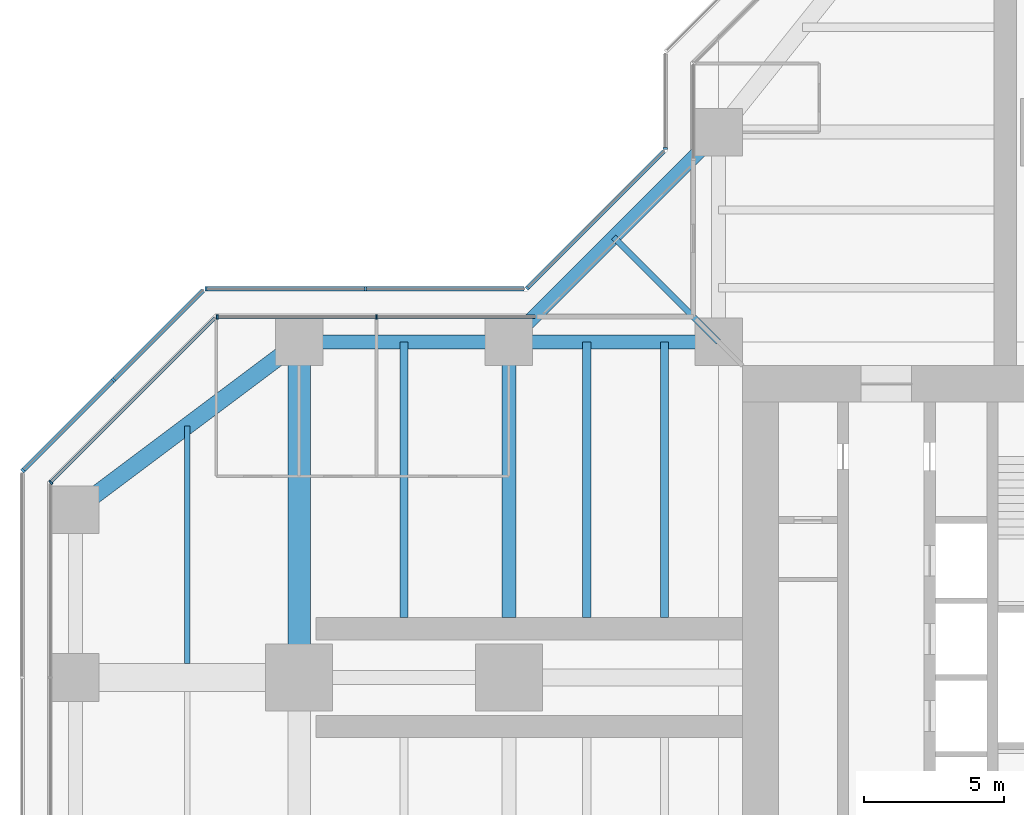
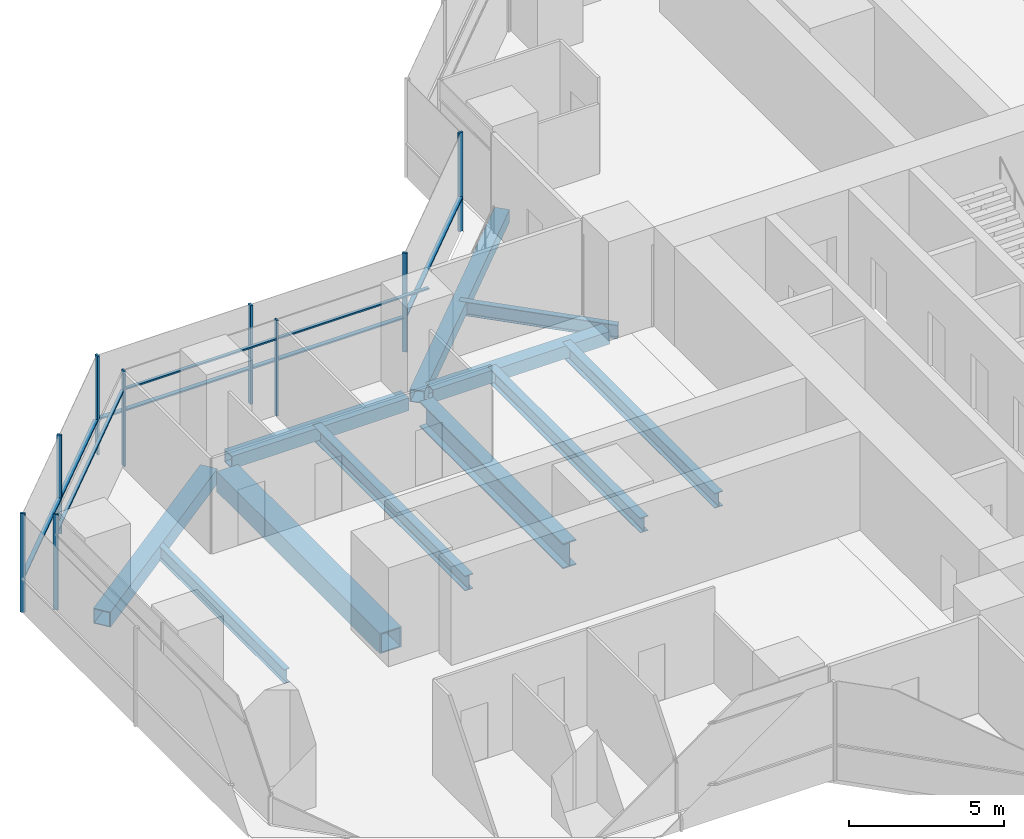
# One storey, part 7 of 20: 17 members, 11 beams, 6 elements without a shape of their own.
"""IFC4 building model written with IfcOpenShell, lengths in metres."""

from ifc_helpers import new_model, si_unit, direction, frame, origin, origin_2d, place, context, subcontext, project, spatial, rectangle, hollow_rectangle, i_section, extrude, material, material_profile, profile_set, type_object, element, aggregate, save


model = new_model("IFC4")

# Units and contexts
model_context = context("Model", 3, precision=1e-05, world=origin(), true_north=direction((0.0, 1.0)))
body_context = subcontext(model_context, "Body", "Model", "MODEL_VIEW")
ifc_project = project(units=[si_unit("LENGTHUNIT", "METRE"), si_unit("AREAUNIT", "SQUARE_METRE"), si_unit("VOLUMEUNIT", "CUBIC_METRE"), si_unit("PLANEANGLEUNIT", "RADIAN"), si_unit("MASSUNIT", "GRAM", prefix="KILO")], contexts=[model_context])

# Site, building, storey
site_placement = place(None, origin())
site = spatial("IfcSite", under=ifc_project, at=site_placement, CompositionType="ELEMENT")
building_placement = place(site_placement, origin())
building = spatial("IfcBuilding", under=site, at=building_placement, Name="Mizan Broadcast Tower", CompositionType="ELEMENT")
storey_placement = place(building_placement, frame((0.0, 0.0, 178.800048828125)))
storey = spatial("IfcBuildingStorey", under=building, at=storey_placement, Name="L41", CompositionType="ELEMENT", Elevation=178.800048828125)

# Beams
ifc_material_1 = material(Name="Steel S355", Category="steel")
ifc_material_profile_1 = material_profile(ifc_material_1, hollow_rectangle(XDim=0.5, YDim=0.5, WallThickness=0.030029296875, at=origin_2d()), Name="BOX 500x500x30")
ifc_profile_set_1 = profile_set([ifc_material_profile_1], Name="Steel S355")
beam_type_1 = type_object("IfcBeamType", Name="EDGE BEAM BOX 500x500x30", PredefinedType="SPANDREL", material=ifc_profile_set_1)
for number, where, z_axis, x_axis, name in (
    (1, (-12.449951171875, 12.0, -0.380126953125), (-1.0, 0.0, 0.0), (0.0, -1.0, 0.0), "Edge beam BOX 500x500x30 L41 west arm"),
    (2, (-19.949951171875, 12.0, -0.380126953125), (-1.0, 0.0, 0.0), (0.0, -1.0, 0.0), "Edge beam BOX 500x500x30 L41 west arm"),
):
    element("IfcBeam", number, at=place(storey_placement, frame(where, z_axis=z_axis, x_axis=x_axis)), inside=storey, type_object=beam_type_1, Name=name, PredefinedType="SPANDREL", context=body_context, shape_type="SweptSolid", body=[
        extrude(hollow_rectangle(XDim=0.5, YDim=0.5, WallThickness=0.030029296875, at=origin_2d()), origin(), (0.0, 0.0, 1.0), 6.60009765625),
    ])
beam_1_placement = place(storey_placement, frame((-12.0, 19.5, -0.380126953125), z_axis=(-0.707106781187, -0.707106781187, 0.0), x_axis=(0.707106781187, -0.707106781187, 0.0)))
element("IfcBeam", 3, at=beam_1_placement, inside=storey, type_object=beam_type_1, Name="Winter garden edge beam L41 N", PredefinedType="SPANDREL", context=body_context, shape_type="SweptSolid", body=[
    extrude(hollow_rectangle(XDim=0.5, YDim=0.5, WallThickness=0.030029296875, at=origin_2d()), origin(), (0.0, 0.0, 1.0), 10.606689453125),
])
ifc_material_2 = material(Name="Steel S355", Category="steel")
ifc_material_profile_2 = material_profile(ifc_material_2, hollow_rectangle(XDim=0.60009765625, YDim=0.60009765625, WallThickness=0.030029296875, at=origin_2d()), Name="BOX 600x600x30")
ifc_profile_set_2 = profile_set([ifc_material_profile_2], Name="Steel S355")
beam_type_2 = type_object("IfcBeamType", Name="EDGE BEAM BOX 600x600x30", PredefinedType="SPANDREL", material=ifc_profile_set_2)
beam_2_placement = place(storey_placement, frame((-27.47998046875, 11.639892578125, -0.429931640625), z_axis=(-0.800013316712, -0.599982243973, 0.0), x_axis=(0.599982243973, -0.800013316712, 0.0)))
element("IfcBeam", 4, at=beam_2_placement, inside=storey, type_object=beam_type_2, Name="Edge beam BOX 600x600x30 L41 west arm", PredefinedType="SPANDREL", context=body_context, shape_type="SweptSolid", body=[
    extrude(hollow_rectangle(XDim=0.60009765625, YDim=0.60009765625, WallThickness=0.030029296875, at=origin_2d()), origin(), (0.0, 0.0, 1.0), 8.7998046875),
])
ifc_material_3 = material(Name="Steel S460", Category="steel")
ifc_material_profile_3 = material_profile(ifc_material_3, hollow_rectangle(XDim=0.800048828125, YDim=0.800048828125, WallThickness=0.050048828125, at=origin_2d()), Name="BOX 800x800x50")
ifc_profile_set_3 = profile_set([ifc_material_profile_3], Name="Steel S460")
beam_type_3 = type_object("IfcBeamType", Name="GIRDER BOX 800x800x50", PredefinedType="BEAM", material=ifc_profile_set_3)
beam_3_placement = place(storey_placement, frame((-27.0, 11.280029296875, -0.530029296875), z_axis=(0.0, -1.0, 0.0), x_axis=(1.0, 0.0, 0.0)))
element("IfcBeam", 5, at=beam_3_placement, inside=storey, type_object=beam_type_3, Name="Girder BOX 800x800x50 L41 west arm", PredefinedType="BEAM", context=body_context, shape_type="SweptSolid", body=[
    extrude(hollow_rectangle(XDim=0.800048828125, YDim=0.800048828125, WallThickness=0.050048828125, at=origin_2d()), origin(), (0.0, 0.0, 1.0), 10.56005859375),
])
ifc_material_4 = material(Name="Steel S460", Category="steel")
ifc_material_profile_4 = material_profile(ifc_material_4, i_section(OverallWidth=0.5, OverallDepth=1.0, WebThickness=0.02490234375, FlangeThickness=0.050048828125, at=origin_2d()), Name="WPG 1000x500")
ifc_profile_set_4 = profile_set([ifc_material_profile_4], Name="Steel S460")
beam_type_4 = type_object("IfcBeamType", Name="GIRDER WPG 1000x500", PredefinedType="BEAM", material=ifc_profile_set_4)
beam_4_placement = place(storey_placement, frame((-19.5, 11.408935546875, -0.630126953125), z_axis=(0.0, -1.0, 0.0), x_axis=(1.0, 0.0, 0.0)))
element("IfcBeam", 6, at=beam_4_placement, inside=storey, type_object=beam_type_4, Name="Girder WPG 1000x500 L41 west arm", PredefinedType="BEAM", context=body_context, shape_type="SweptSolid", body=[
    extrude(i_section(OverallWidth=0.5, OverallDepth=1.0, WebThickness=0.02490234375, FlangeThickness=0.050048828125, at=origin_2d()), origin(), (0.0, 0.0, 1.0), 9.259033203125),
])

# Curtain wall, members
ifc_material_5 = material(Name="Aluminium framed glazing", Category="aluminium")
curtain_wall_type_1 = type_object("IfcCurtainWallType", Name="INNER SKIN MID ZONE", PredefinedType="USERDEFINED", material=ifc_material_5)
curtain_wall_1_placement = place(storey_placement, origin())
curtain_wall_1 = element("IfcCurtainWall", 7, at=curtain_wall_1_placement, inside=storey, type_object=curtain_wall_type_1, Name="Inner skin mid zone L41 W side", ObjectType="INNER SKIN MID ZONE", PredefinedType="USERDEFINED")
ifc_material_6 = material(Name="Aluminium, pale anodised", Category="aluminium")
ifc_material_profile_5 = material_profile(ifc_material_6, rectangle(XDim=0.159912109375, YDim=0.06005859375, at=origin_2d()), Name="MULLION 160x60")
ifc_profile_set_5 = profile_set([ifc_material_profile_5], Name="Aluminium, pale anodised")
member_type_1 = type_object("IfcMemberType", Name="INNER SKIN MULLION 60x160", PredefinedType="MULLION", material=ifc_profile_set_5)
member_1_placement = place(storey_placement, frame((-24.229248046875, 12.89990234375, 0.0), z_axis=(0.0, 0.0, 1.0), x_axis=(0.0, -1.0, 0.0)))
member_1 = element("IfcMember", 8, at=member_1_placement, type_object=member_type_1, Name="Inner skin mid zone L41 W side mullion 2", PredefinedType="MULLION", context=body_context, shape_type="SweptSolid", body=[
    extrude(rectangle(XDim=0.159912109375, YDim=0.06005859375, at=origin_2d()), origin(), (0.0, 0.0, 1.0), 3.77001953125),
])
member_2_placement = place(storey_placement, frame((-29.928466796875, 12.89990234375, 0.0), z_axis=(0.0, 0.0, 1.0), x_axis=(0.0, -1.0, 0.0)))
member_2 = element("IfcMember", 9, at=member_2_placement, type_object=member_type_1, Name="Inner skin mid zone L41 W side mullion 3", PredefinedType="MULLION", context=body_context, shape_type="SweptSolid", body=[
    extrude(rectangle(XDim=0.159912109375, YDim=0.06005859375, at=origin_2d()), origin(), (0.0, 0.0, 1.0), 3.77001953125),
])

# Curtain wall, member
curtain_wall_2_placement = place(storey_placement, origin())
curtain_wall_2 = element("IfcCurtainWall", 10, at=curtain_wall_2_placement, inside=storey, type_object=curtain_wall_type_1, Name="Inner skin mid zone L41 W chamfer", ObjectType="INNER SKIN MID ZONE", PredefinedType="USERDEFINED")
member_3_placement = place(storey_placement, frame((-35.87890625, 6.979736328125, 0.0), z_axis=(0.0, 0.0, 1.0), x_axis=(0.707106781187, -0.707106781187, 0.0)))
member_3 = element("IfcMember", 11, at=member_3_placement, type_object=member_type_1, Name="Inner skin mid zone L41 W chamfer mullion 2", PredefinedType="MULLION", context=body_context, shape_type="SweptSolid", body=[
    extrude(rectangle(XDim=0.159912109375, YDim=0.06005859375, at=origin_2d()), origin(), (0.0, 0.0, 1.0), 3.77001953125),
])

# Member
ifc_material_7 = material(Name="Aluminium, pale anodised", Category="aluminium")
ifc_material_profile_6 = material_profile(ifc_material_7, rectangle(XDim=0.1201171875, YDim=0.06005859375, at=origin_2d()), Name="TRANSOM 120x60")
ifc_profile_set_6 = profile_set([ifc_material_profile_6], Name="Aluminium, pale anodised")
member_type_2 = type_object("IfcMemberType", Name="INNER SKIN TRANSOM 60x120", PredefinedType="USERDEFINED", material=ifc_profile_set_6)
member_4_placement = place(storey_placement, frame((-18.56005859375, 12.89990234375, 3.030029296875), z_axis=(-1.0, 0.0, 0.0), x_axis=(0.0, -1.0, 0.0)))
member_4 = element("IfcMember", 12, at=member_4_placement, type_object=member_type_2, Name="Inner skin mid zone L41 W side transom 1.1", ObjectType="TRANSOM", PredefinedType="USERDEFINED", context=body_context, shape_type="SweptSolid", body=[
    extrude(rectangle(XDim=0.1201171875, YDim=0.06005859375, at=origin_2d()), origin(), (0.0, 0.0, 1.0), 5.63916015625),
])

member_5_placement = place(storey_placement, frame((-24.25927734375, 12.89990234375, 3.030029296875), z_axis=(-1.0, 0.0, 0.0), x_axis=(0.0, -1.0, 0.0)))
member_5 = element("IfcMember", 13, at=member_5_placement, type_object=member_type_2, Name="Inner skin mid zone L41 W side transom 2.1", ObjectType="TRANSOM", PredefinedType="USERDEFINED", context=body_context, shape_type="SweptSolid", body=[
    extrude(rectangle(XDim=0.1201171875, YDim=0.06005859375, at=origin_2d()), origin(), (0.0, 0.0, 1.0), 5.639404296875),
])

aggregate(curtain_wall_1, [member_1, member_2, member_4, member_5])

member_6_placement = place(storey_placement, frame((-30.0009765625, 12.857666015625, 3.030029296875), z_axis=(-0.707106781187, -0.707106781187, 0.0), x_axis=(0.707106781187, -0.707106781187, 0.0)))
member_6 = element("IfcMember", 14, at=member_6_placement, type_object=member_type_2, Name="Inner skin mid zone L41 W chamfer transom 1.1", ObjectType="TRANSOM", PredefinedType="USERDEFINED", context=body_context, shape_type="SweptSolid", body=[
    extrude(rectangle(XDim=0.1201171875, YDim=0.06005859375, at=origin_2d()), origin(), (0.0, 0.0, 1.0), 8.28271484375),
])

aggregate(curtain_wall_2, [member_3, member_6])

# Curtain wall, member
ifc_material_8 = material(Name="Aluminium framed glazing", Category="aluminium")
curtain_wall_type_2 = type_object("IfcCurtainWallType", Name="OUTER SKIN", PredefinedType="USERDEFINED", material=ifc_material_8)
curtain_wall_3_placement = place(storey_placement, origin())
curtain_wall_3 = element("IfcCurtainWall", 15, at=curtain_wall_3_placement, inside=storey, type_object=curtain_wall_type_2, Name="Outer skin L41 N side", ObjectType="OUTER SKIN", PredefinedType="USERDEFINED")
ifc_material_9 = material(Name="Aluminium, pale anodised", Category="aluminium")
ifc_material_profile_7 = material_profile(ifc_material_9, rectangle(XDim=0.159912109375, YDim=0.080078125, at=origin_2d()), Name="MULLION 160x80")
ifc_profile_set_7 = profile_set([ifc_material_profile_7], Name="Aluminium, pale anodised")
member_type_3 = type_object("IfcMemberType", Name="OUTER SKIN MULLION 80x160", PredefinedType="MULLION", material=ifc_profile_set_7)
member_7_placement = place(storey_placement, frame((-13.89990234375, 18.912841796875, 0.0), z_axis=(0.0, 0.0, 1.0), x_axis=(1.0, 0.0, 0.0)))
member_7 = element("IfcMember", 16, at=member_7_placement, type_object=member_type_3, Name="Outer skin L41 N side mullion 2", PredefinedType="MULLION", context=body_context, shape_type="SweptSolid", body=[
    extrude(rectangle(XDim=0.159912109375, YDim=0.080078125, at=origin_2d()), origin(), (0.0, 0.0, 1.0), 3.89990234375),
])
aggregate(curtain_wall_3, [member_7])

curtain_wall_4_placement = place(storey_placement, origin())
curtain_wall_4 = element("IfcCurtainWall", 17, at=curtain_wall_4_placement, inside=storey, type_object=curtain_wall_type_2, Name="Outer skin L41 W chamfer", ObjectType="OUTER SKIN", PredefinedType="USERDEFINED")
member_8_placement = place(storey_placement, frame((-18.844482421875, 13.92822265625, 0.0), z_axis=(0.0, 0.0, 1.0), x_axis=(0.707106781187, -0.707106781187, 0.0)))
member_8 = element("IfcMember", 18, at=member_8_placement, type_object=member_type_3, Name="Outer skin L41 W chamfer mullion 2", PredefinedType="MULLION", context=body_context, shape_type="SweptSolid", body=[
    extrude(rectangle(XDim=0.159912109375, YDim=0.080078125, at=origin_2d()), origin(), (0.0, 0.0, 1.0), 3.89990234375),
])

# Curtain wall, members
curtain_wall_5_placement = place(storey_placement, origin())
curtain_wall_5 = element("IfcCurtainWall", 19, at=curtain_wall_5_placement, inside=storey, type_object=curtain_wall_type_2, Name="Outer skin L41 W side", ObjectType="OUTER SKIN", PredefinedType="USERDEFINED")
member_9_placement = place(storey_placement, frame((-24.622802734375, 13.89990234375, 0.0), z_axis=(0.0, 0.0, 1.0), x_axis=(0.0, -1.0, 0.0)))
member_9 = element("IfcMember", 20, at=member_9_placement, type_object=member_type_3, Name="Outer skin L41 W side mullion 2", PredefinedType="MULLION", context=body_context, shape_type="SweptSolid", body=[
    extrude(rectangle(XDim=0.159912109375, YDim=0.080078125, at=origin_2d()), origin(), (0.0, 0.0, 1.0), 3.89990234375),
])
member_10_placement = place(storey_placement, frame((-30.332763671875, 13.89990234375, 0.0), z_axis=(0.0, 0.0, 1.0), x_axis=(0.0, -1.0, 0.0)))
member_10 = element("IfcMember", 21, at=member_10_placement, type_object=member_type_3, Name="Outer skin L41 W side mullion 3", PredefinedType="MULLION", context=body_context, shape_type="SweptSolid", body=[
    extrude(rectangle(XDim=0.159912109375, YDim=0.080078125, at=origin_2d()), origin(), (0.0, 0.0, 1.0), 3.89990234375),
])

curtain_wall_6_placement = place(storey_placement, origin())
curtain_wall_6 = element("IfcCurtainWall", 22, at=curtain_wall_6_placement, inside=storey, type_object=curtain_wall_type_2, Name="Outer skin L41 W chamfer", ObjectType="OUTER SKIN", PredefinedType="USERDEFINED")
member_11_placement = place(storey_placement, frame((-33.636474609375, 10.636474609375, 0.0), z_axis=(0.0, 0.0, 1.0), x_axis=(0.707106781187, -0.707106781187, 0.0)))
member_11 = element("IfcMember", 23, at=member_11_placement, type_object=member_type_3, Name="Outer skin L41 W chamfer mullion 2", PredefinedType="MULLION", context=body_context, shape_type="SweptSolid", body=[
    extrude(rectangle(XDim=0.159912109375, YDim=0.080078125, at=origin_2d()), origin(), (0.0, 0.0, 1.0), 3.89990234375),
])
member_12_placement = place(storey_placement, frame((-36.871826171875, 7.401123046875, 0.0), z_axis=(0.0, 0.0, 1.0), x_axis=(0.707106781187, -0.707106781187, 0.0)))
member_12 = element("IfcMember", 24, at=member_12_placement, type_object=member_type_3, Name="Outer skin L41 W chamfer mullion 3", PredefinedType="MULLION", context=body_context, shape_type="SweptSolid", body=[
    extrude(rectangle(XDim=0.159912109375, YDim=0.080078125, at=origin_2d()), origin(), (0.0, 0.0, 1.0), 3.89990234375),
])

# Member
ifc_material_10 = material(Name="Aluminium, pale anodised", Category="aluminium")
ifc_material_profile_8 = material_profile(ifc_material_10, rectangle(XDim=0.159912109375, YDim=0.06005859375, at=origin_2d()), Name="TRANSOM 160x60")
ifc_profile_set_8 = profile_set([ifc_material_profile_8], Name="Aluminium, pale anodised")
member_type_4 = type_object("IfcMemberType", Name="OUTER SKIN TRANSOM 60x160", PredefinedType="USERDEFINED", material=ifc_profile_set_8)
member_13_placement = place(storey_placement, frame((-13.95654296875, 18.816162109375, 1.39990234375), z_axis=(-0.707106781187, -0.707106781187, 0.0), x_axis=(0.707106781187, -0.707106781187, 0.0)))
member_13 = element("IfcMember", 25, at=member_13_placement, type_object=member_type_4, Name="Outer skin L41 W chamfer transom 1.1", ObjectType="TRANSOM", PredefinedType="USERDEFINED", context=body_context, shape_type="SweptSolid", body=[
    extrude(rectangle(XDim=0.159912109375, YDim=0.06005859375, at=origin_2d()), origin(), (0.0, 0.0, 1.0), 6.87255859375),
])

aggregate(curtain_wall_4, [member_8, member_13])

member_14_placement = place(storey_placement, frame((-18.952880859375, 13.89990234375, 1.39990234375), z_axis=(-1.0, 0.0, 0.0), x_axis=(0.0, -1.0, 0.0)))
member_14 = element("IfcMember", 26, at=member_14_placement, type_object=member_type_4, Name="Outer skin L41 W side transom 1.1", ObjectType="TRANSOM", PredefinedType="USERDEFINED", context=body_context, shape_type="SweptSolid", body=[
    extrude(rectangle(XDim=0.159912109375, YDim=0.06005859375, at=origin_2d()), origin(), (0.0, 0.0, 1.0), 5.6298828125),
])

member_15_placement = place(storey_placement, frame((-24.662841796875, 13.89990234375, 1.39990234375), z_axis=(-1.0, 0.0, 0.0), x_axis=(0.0, -1.0, 0.0)))
member_15 = element("IfcMember", 27, at=member_15_placement, type_object=member_type_4, Name="Outer skin L41 W side transom 2.1", ObjectType="TRANSOM", PredefinedType="USERDEFINED", context=body_context, shape_type="SweptSolid", body=[
    extrude(rectangle(XDim=0.159912109375, YDim=0.06005859375, at=origin_2d()), origin(), (0.0, 0.0, 1.0), 5.6298828125),
])

aggregate(curtain_wall_5, [member_9, member_10, member_14, member_15])

member_16_placement = place(storey_placement, frame((-30.429443359375, 13.843505859375, 1.39990234375), z_axis=(-0.707106781187, -0.707106781187, 0.0), x_axis=(0.707106781187, -0.707106781187, 0.0)))
member_16 = element("IfcMember", 28, at=member_16_placement, type_object=member_type_4, Name="Outer skin L41 W chamfer transom 1.1", ObjectType="TRANSOM", PredefinedType="USERDEFINED", context=body_context, shape_type="SweptSolid", body=[
    extrude(rectangle(XDim=0.159912109375, YDim=0.06005859375, at=origin_2d()), origin(), (0.0, 0.0, 1.0), 4.495361328125),
])

member_17_placement = place(storey_placement, frame((-33.664794921875, 10.608154296875, 1.39990234375), z_axis=(-0.707106781187, -0.707106781187, 0.0), x_axis=(0.707106781187, -0.707106781187, 0.0)))
member_17 = element("IfcMember", 29, at=member_17_placement, type_object=member_type_4, Name="Outer skin L41 W chamfer transom 2.1", ObjectType="TRANSOM", PredefinedType="USERDEFINED", context=body_context, shape_type="SweptSolid", body=[
    extrude(rectangle(XDim=0.159912109375, YDim=0.06005859375, at=origin_2d()), origin(), (0.0, 0.0, 1.0), 4.495361328125),
])

aggregate(curtain_wall_6, [member_11, member_12, member_16, member_17])

# Beams
ifc_material_11 = material(Name="Steel S355", Category="steel")
ifc_material_profile_9 = material_profile(ifc_material_11, i_section(OverallWidth=0.300048828125, OverallDepth=0.590087890625, WebThickness=0.012939453125, FlangeThickness=0.02490234375, FilletRadius=0.027099609375, at=origin_2d()), Name="HEA 600")
ifc_profile_set_9 = profile_set([ifc_material_profile_9], Name="Steel S355")
beam_type_5 = type_object("IfcBeamType", Name="SECONDARY BEAM HEA 600", PredefinedType="JOIST", material=ifc_profile_set_9)
for number, where, z_axis, x_axis, name in (
    (30, (-13.933349609375, 12.0, -0.425048828125), (0.0, -1.0, 0.0), (1.0, 0.0, 0.0), "Secondary beam HEA 600 L41 west arm"),
    (31, (-16.716552734375, 12.0, -0.425048828125), (0.0, -1.0, 0.0), (1.0, 0.0, 0.0), "Secondary beam HEA 600 L41 west arm"),
    (32, (-23.25, 12.0, -0.425048828125), (0.0, -1.0, 0.0), (1.0, 0.0, 0.0), "Secondary beam HEA 600 L41 west arm"),
):
    element("IfcBeam", number, at=place(storey_placement, frame(where, z_axis=z_axis, x_axis=x_axis)), inside=storey, type_object=beam_type_5, Name=name, PredefinedType="JOIST", context=body_context, shape_type="SweptSolid", body=[
        extrude(i_section(OverallWidth=0.300048828125, OverallDepth=0.590087890625, WebThickness=0.012939453125, FlangeThickness=0.02490234375, FilletRadius=0.027099609375, at=origin_2d()), origin(), (0.0, 0.0, 1.0), 9.85009765625),
    ])
ifc_material_12 = material(Name="Steel S355", Category="steel")
ifc_material_profile_10 = material_profile(ifc_material_12, i_section(OverallWidth=0.2099609375, OverallDepth=0.550048828125, WebThickness=0.010986328125, FlangeThickness=0.01708984375, FilletRadius=0.02392578125, at=origin_2d()), Name="IPE 550")
ifc_profile_set_10 = profile_set([ifc_material_profile_10], Name="Steel S355")
beam_type_6 = type_object("IfcBeamType", Name="SECONDARY BEAM IPE 550", PredefinedType="JOIST", material=ifc_profile_set_10)
beam_5_placement = place(storey_placement, frame((-31.0, 9.0, -0.405029296875), z_axis=(0.0, -1.0, 0.0), x_axis=(1.0, 0.0, 0.0)))
element("IfcBeam", 33, at=beam_5_placement, inside=storey, type_object=beam_type_6, Name="Secondary beam IPE 550 L41 west arm", PredefinedType="JOIST", context=body_context, shape_type="SweptSolid", body=[
    extrude(i_section(OverallWidth=0.2099609375, OverallDepth=0.550048828125, WebThickness=0.010986328125, FlangeThickness=0.01708984375, FilletRadius=0.02392578125, at=origin_2d()), origin(), (0.0, 0.0, 1.0), 8.5),
])
beam_6_placement = place(storey_placement, frame((-12.0, 12.0, -0.405029296875), z_axis=(-0.707106781187, 0.707106781187, 0.0), x_axis=(-0.707106781187, -0.707106781187, 0.0)))
element("IfcBeam", 34, at=beam_6_placement, inside=storey, type_object=beam_type_6, Name="Winter garden beam L41 N", PredefinedType="JOIST", context=body_context, shape_type="SweptSolid", body=[
    extrude(i_section(OverallWidth=0.2099609375, OverallDepth=0.550048828125, WebThickness=0.010986328125, FlangeThickness=0.01708984375, FilletRadius=0.02392578125, at=origin_2d()), origin(), (0.0, 0.0, 1.0), 5.30322265625),
])

save(model, "model.ifc")
